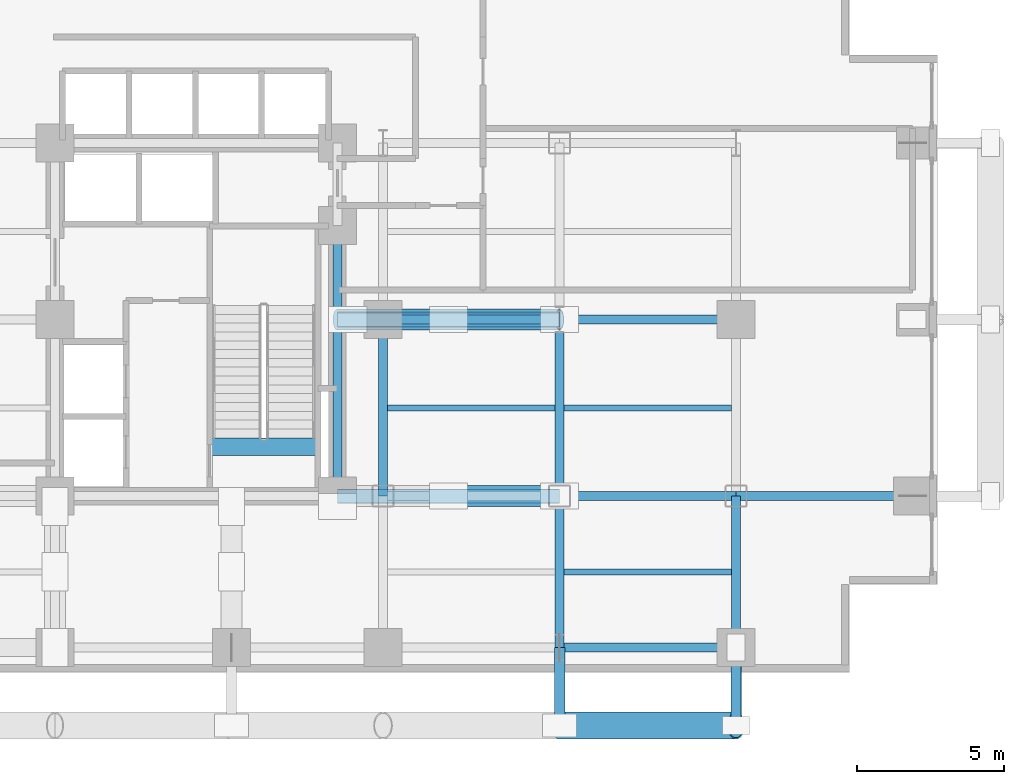
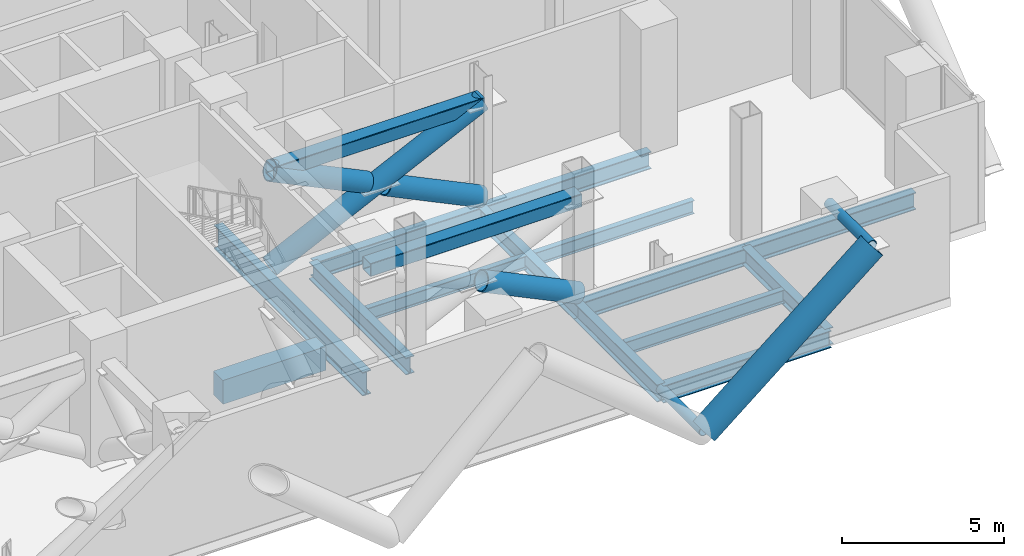
# One storey, part 3 of 10: 14 beams, 9 members.
"""IFC4 building model written with IfcOpenShell, lengths in metres."""

from ifc_helpers import new_model, si_unit, direction, frame, origin, origin_2d, place, context, subcontext, project, spatial, rectangle, hollow_rectangle, hollow_circle, i_section, extrude, material, material_profile, profile_set, type_object, element, save


model = new_model("IFC4")

# Units and contexts
model_context = context("Model", 3, precision=1e-05, world=origin(), true_north=direction((0.0, 1.0)))
body_context = subcontext(model_context, "Body", "Model", "MODEL_VIEW")
ifc_project = project(units=[si_unit("LENGTHUNIT", "METRE"), si_unit("AREAUNIT", "SQUARE_METRE"), si_unit("VOLUMEUNIT", "CUBIC_METRE"), si_unit("PLANEANGLEUNIT", "RADIAN"), si_unit("MASSUNIT", "GRAM", prefix="KILO"), si_unit("THERMODYNAMICTEMPERATUREUNIT", "KELVIN"), si_unit("POWERUNIT", "WATT")], contexts=[model_context])

# Site, building, storey
site_placement = place(None, origin())
site = spatial("IfcSite", under=ifc_project, at=site_placement, CompositionType="ELEMENT")
building_placement = place(site_placement, origin())
building = spatial("IfcBuilding", under=site, at=building_placement, Name="Svarakhadi Broadcast Tower", CompositionType="ELEMENT")
storey_placement = place(building_placement, frame((0.0, 0.0, 94.800048828125)))
storey = spatial("IfcBuildingStorey", under=building, at=storey_placement, Name="L22", CompositionType="ELEMENT", Elevation=94.800048828125)

# Beams
ifc_material_1 = material(Name="Steel S355J2 (IS 2062 E350C)", Category="steel")
ifc_material_profile_1 = material_profile(ifc_material_1, i_section(OverallWidth=0.199951171875, OverallDepth=0.5, WebThickness=0.01025390625, FlangeThickness=0.01611328125, FilletRadius=0.02099609375, at=origin_2d()), Name="NPB 500x200x91")
ifc_profile_set_1 = profile_set([ifc_material_profile_1], Name="Steel S355J2 (IS 2062 E350C)")
beam_type_1 = type_object("IfcBeamType", Name="Beam_NPB500", PredefinedType="BEAM", material=ifc_profile_set_1)
for number, where, z_axis, x_axis, name in (
    (1, (35.31005859375, 9.0, -0.574951171875), (1.0, 0.0, 0.0), (0.0, 1.0, 0.0), "L22 Secondary Composite Beam SB023"),
    (2, (41.31005859375, 3.425048828125, -0.574951171875), (1.0, 0.0, 0.0), (0.0, 1.0, 0.0), "L22 Secondary Composite Beam SB025"),
    (3, (41.31005859375, 9.0, -0.574951171875), (1.0, 0.0, 0.0), (0.0, 1.0, 0.0), "L22 Secondary Composite Beam SB026"),
):
    element("IfcBeam", number, at=place(storey_placement, frame(where, z_axis=z_axis, x_axis=x_axis)), inside=storey, type_object=beam_type_1, Name=name, PredefinedType="BEAM", context=body_context, shape_type="SweptSolid", body=[
        extrude(i_section(OverallWidth=0.199951171875, OverallDepth=0.5, WebThickness=0.01025390625, FlangeThickness=0.01611328125, FilletRadius=0.02099609375, at=origin_2d()), origin(), (0.0, 0.0, 1.0), 5.679931640625),
    ])
ifc_material_2 = material(Name="Concrete C50/60 (IS 456 M60)", Category="concrete")
ifc_material_profile_2 = material_profile(ifc_material_2, rectangle(XDim=0.60009765625, YDim=0.89990234375, at=origin_2d()), Name="RC 600x900")
ifc_profile_set_2 = profile_set([ifc_material_profile_2], Name="Concrete C50/60 (IS 456 M60)")
beam_type_2 = type_object("IfcBeamType", Name="Coupling_RC600", PredefinedType="USERDEFINED", material=ifc_profile_set_2)
beam_1_placement = place(storey_placement, frame((29.260009765625, 7.679931640625, -0.449951171875), z_axis=(1.0, 0.0, 0.0), x_axis=(0.0, 1.0, 0.0)))
element("IfcBeam", 4, at=beam_1_placement, inside=storey, type_object=beam_type_2, Name="L22 Stair ST-02 Landing Throat Trimmer Beam CB-01", ObjectType="GIRDER", PredefinedType="USERDEFINED", context=body_context, shape_type="SweptSolid", body=[
    extrude(rectangle(XDim=0.60009765625, YDim=0.89990234375, at=origin_2d()), origin(), (0.0, 0.0, 1.0), 3.679931640625),
])

# Members
ifc_material_3 = material(Name="Steel S460ML (IS 2062 E450BR)", Category="steel")
ifc_material_profile_3 = material_profile(ifc_material_3, hollow_circle(Radius=0.45703125, WallThickness=0.044921875, at=origin_2d()), Name="CHS 914x45")
ifc_profile_set_3 = profile_set([ifc_material_profile_3], Name="Steel S460ML (IS 2062 E450BR)")
member_type_1 = type_object("IfcMemberType", Name="Exo_Brace_CHS914", PredefinedType="BRACE", material=ifc_profile_set_3)
member_1_placement = place(storey_placement, frame((41.14990234375, -1.800048828125, -0.5029296875), z_axis=(0.773519586462, 0.0, 0.633772395549), x_axis=(0.0, 1.0, 0.0)))
element("IfcMember", 5, at=member_1_placement, inside=storey, type_object=member_type_1, Name="L22 Exposed Bronze Exoskeleton Diagonal S07", PredefinedType="BRACE", context=body_context, shape_type="SweptSolid", body=[
    extrude(hollow_circle(Radius=0.45703125, WallThickness=0.044921875, at=origin_2d()), origin(), (0.0, 0.0, 1.0), 7.7568359375),
])
ifc_material_profile_4 = material_profile(ifc_material_3, hollow_circle(Radius=0.177734375, WallThickness=0.02001953125, at=origin_2d()), Name="CHS 355.6x20")
ifc_profile_set_4 = profile_set([ifc_material_profile_4], Name="Steel S460ML (IS 2062 E450BR)")
member_type_2 = type_object("IfcMemberType", Name="Exo_Radial_Strut_Z1", PredefinedType="STRUT", material=ifc_profile_set_4)
for number, where, z_axis, x_axis, name in (
    (6, (41.14990234375, -1.800048828125, -0.5029296875), (0.0, 1.0, 0.0), (-1.0, 0.0, 0.0), "L22 Exoskeleton Radial Tie Strut S04"),
    (7, (47.14990234375, -1.800048828125, 4.4130859375), (0.0, 1.0, 0.0), (-1.0, 0.0, 0.0), "L22 Exoskeleton Setback Top Radial Tie S07"),
):
    element("IfcMember", number, at=place(storey_placement, frame(where, z_axis=z_axis, x_axis=x_axis)), inside=storey, type_object=member_type_2, Name=name, PredefinedType="STRUT", context=body_context, shape_type="SweptSolid", body=[
        extrude(hollow_circle(Radius=0.177734375, WallThickness=0.02001953125, at=origin_2d()), origin(), (0.0, 0.0, 1.0), 2.650146484375),
    ])

# Beams
ifc_material_profile_5 = material_profile(ifc_material_1, i_section(OverallWidth=0.300048828125, OverallDepth=0.64990234375, WebThickness=0.01611328125, FlangeThickness=0.031005859375, FilletRadius=0.027099609375, at=origin_2d()), Name="WPB 650x300x225")
ifc_profile_set_5 = profile_set([ifc_material_profile_5], Name="Steel S355J2 (IS 2062 E350C)")
beam_type_3 = type_object("IfcBeamType", Name="Girder_WPB650", PredefinedType="USERDEFINED", material=ifc_profile_set_5)
for number, where, z_axis, x_axis, name in (
    (8, (41.14990234375, 0.85009765625, -0.650146484375), (1.0, 0.0, 0.0), (0.0, 1.0, 0.0), "L22 Primary E-W Girder G010"),
    (9, (41.14990234375, 6.0, -0.650146484375), (1.0, 0.0, 0.0), (0.0, 1.0, 0.0), "L22 Primary E-W Girder G017"),
    (10, (47.14990234375, 6.0, -0.650146484375), (1.0, 0.0, 0.0), (0.0, 1.0, 0.0), "L22 Primary E-W Girder G018"),
    (11, (35.14990234375, 12.0, -0.650146484375), (1.0, 0.0, 0.0), (0.0, 1.0, 0.0), "L22 Primary E-W Girder G023"),
    (12, (41.14990234375, 12.0, -0.650146484375), (1.0, 0.0, 0.0), (0.0, 1.0, 0.0), "L22 Primary E-W Girder G024"),
    (13, (35.14990234375, 6.0, -0.650146484375), (0.0, 1.0, 0.0), (-1.0, 0.0, 0.0), "L22 Primary N-S Girder G077"),
):
    element("IfcBeam", number, at=place(storey_placement, frame(where, z_axis=z_axis, x_axis=x_axis)), inside=storey, type_object=beam_type_3, Name=name, ObjectType="GIRDER", PredefinedType="USERDEFINED", context=body_context, shape_type="SweptSolid", body=[
        extrude(i_section(OverallWidth=0.300048828125, OverallDepth=0.64990234375, WebThickness=0.01611328125, FlangeThickness=0.031005859375, FilletRadius=0.027099609375, at=origin_2d()), origin(), (0.0, 0.0, 1.0), 6.0),
    ])
beam_2_placement = place(storey_placement, frame((41.14990234375, 0.85009765625, -0.650146484375), z_axis=(0.0, 1.0, 0.0), x_axis=(-1.0, 0.0, 0.0)))
element("IfcBeam", 14, at=beam_2_placement, inside=storey, type_object=beam_type_3, Name="L22 Primary N-S Girder G079", ObjectType="GIRDER", PredefinedType="USERDEFINED", context=body_context, shape_type="SweptSolid", body=[
    extrude(i_section(OverallWidth=0.300048828125, OverallDepth=0.64990234375, WebThickness=0.01611328125, FlangeThickness=0.031005859375, FilletRadius=0.027099609375, at=origin_2d()), origin(), (0.0, 0.0, 1.0), 5.14990234375),
])
beam_3_placement = place(storey_placement, frame((41.14990234375, 6.0, -0.650146484375), z_axis=(0.0, 1.0, 0.0), x_axis=(-1.0, 0.0, 0.0)))
element("IfcBeam", 15, at=beam_3_placement, inside=storey, type_object=beam_type_3, Name="L22 Primary N-S Girder G080", ObjectType="GIRDER", PredefinedType="USERDEFINED", context=body_context, shape_type="SweptSolid", body=[
    extrude(i_section(OverallWidth=0.300048828125, OverallDepth=0.64990234375, WebThickness=0.01611328125, FlangeThickness=0.031005859375, FilletRadius=0.027099609375, at=origin_2d()), origin(), (0.0, 0.0, 1.0), 6.0),
])
beam_4_placement = place(storey_placement, frame((47.14990234375, 0.85009765625, -0.650146484375), z_axis=(0.0, 1.0, 0.0), x_axis=(-1.0, 0.0, 0.0)))
element("IfcBeam", 16, at=beam_4_placement, inside=storey, type_object=beam_type_3, Name="L22 Primary N-S Girder G082", ObjectType="GIRDER", PredefinedType="USERDEFINED", context=body_context, shape_type="SweptSolid", body=[
    extrude(i_section(OverallWidth=0.300048828125, OverallDepth=0.64990234375, WebThickness=0.01611328125, FlangeThickness=0.031005859375, FilletRadius=0.027099609375, at=origin_2d()), origin(), (0.0, 0.0, 1.0), 5.14990234375),
])
ifc_material_profile_6 = material_profile(ifc_material_3, i_section(OverallWidth=0.300048828125, OverallDepth=0.89990234375, WebThickness=0.0185546875, FlangeThickness=0.034912109375, FilletRadius=0.030029296875, at=origin_2d()), Name="WPB 900x300x291")
ifc_profile_set_6 = profile_set([ifc_material_profile_6], Name="Steel S460ML (IS 2062 E450BR)")
beam_type_4 = type_object("IfcBeamType", Name="Girder_WPB900", PredefinedType="USERDEFINED", material=ifc_profile_set_6)
beam_5_placement = place(storey_placement, frame((33.60009765625, 6.0, -0.775146484375), z_axis=(0.0, 1.0, 0.0), x_axis=(-1.0, 0.0, 0.0)))
element("IfcBeam", 17, at=beam_5_placement, inside=storey, type_object=beam_type_4, Name="L22 Primary N-S Girder G074", ObjectType="GIRDER", PredefinedType="USERDEFINED", context=body_context, shape_type="SweptSolid", body=[
    extrude(i_section(OverallWidth=0.300048828125, OverallDepth=0.89990234375, WebThickness=0.0185546875, FlangeThickness=0.034912109375, FilletRadius=0.030029296875, at=origin_2d()), origin(), (0.0, 0.0, 1.0), 9.199951171875),
])

# Members
ifc_material_profile_7 = material_profile(ifc_material_3, hollow_circle(Radius=0.35546875, WallThickness=0.034912109375, at=origin_2d()), Name="CHS 711x35")
ifc_profile_set_7 = profile_set([ifc_material_profile_7], Name="Steel S460ML (IS 2062 E450BR)")
member_type_3 = type_object("IfcMemberType", Name="Outrigger_Brace_OT01", PredefinedType="BRACE", material=ifc_profile_set_7)
member_2_placement = place(storey_placement, frame((41.14990234375, 6.0, 0.0), z_axis=(-0.901486267581, 0.0, 0.432807704833), x_axis=(0.0, -1.0, 0.0)))
element("IfcMember", 18, at=member_2_placement, inside=storey, type_object=member_type_3, Name="L22 Core-to-Perimeter Outrigger Truss Diagonal OT-07B1", PredefinedType="BRACE", context=body_context, shape_type="SweptSolid", body=[
    extrude(hollow_circle(Radius=0.35546875, WallThickness=0.034912109375, at=origin_2d()), origin(), (0.0, 0.0, 1.0), 3.831787109375),
])
member_3_placement = place(storey_placement, frame((33.60009765625, 12.0, 0.0), z_axis=(0.901472102936, 0.0, 0.432837206843), x_axis=(0.0, 1.0, 0.0)))
element("IfcMember", 19, at=member_3_placement, inside=storey, type_object=member_type_3, Name="L22 Core-to-Perimeter Outrigger Truss Diagonal OT-08A", PredefinedType="BRACE", context=body_context, shape_type="SweptSolid", body=[
    extrude(hollow_circle(Radius=0.35546875, WallThickness=0.034912109375, at=origin_2d()), origin(), (0.0, 0.0, 1.0), 8.375),
])
member_4_placement = place(storey_placement, frame((41.14990234375, 12.0, 0.0), z_axis=(-0.901486267581, 0.0, 0.432807704833), x_axis=(0.0, -1.0, 0.0)))
element("IfcMember", 20, at=member_4_placement, inside=storey, type_object=member_type_3, Name="L22 Core-to-Perimeter Outrigger Truss Diagonal OT-08B1", PredefinedType="BRACE", context=body_context, shape_type="SweptSolid", body=[
    extrude(hollow_circle(Radius=0.35546875, WallThickness=0.034912109375, at=origin_2d()), origin(), (0.0, 0.0, 1.0), 3.831787109375),
])
member_5_placement = place(storey_placement, frame((37.054443359375, 12.0, 1.96630859375), z_axis=(-0.901461407561, 0.0, 0.432859481446), x_axis=(0.0, -1.0, 0.0)))
element("IfcMember", 21, at=member_5_placement, inside=storey, type_object=member_type_3, Name="L22 Core-to-Perimeter Outrigger Truss Diagonal OT-08B2", PredefinedType="BRACE", context=body_context, shape_type="SweptSolid", body=[
    extrude(hollow_circle(Radius=0.35546875, WallThickness=0.034912109375, at=origin_2d()), origin(), (0.0, 0.0, 1.0), 3.83203125),
])
ifc_material_profile_8 = material_profile(ifc_material_3, hollow_rectangle(XDim=0.5, YDim=0.5, WallThickness=0.02490234375, InnerFilletRadius=0.02490234375, OuterFilletRadius=0.0400390625, at=origin_2d()), Name="SHS 500x500x25")
ifc_profile_set_8 = profile_set([ifc_material_profile_8], Name="Steel S460ML (IS 2062 E450BR)")
member_type_4 = type_object("IfcMemberType", Name="Outrigger_Truss_Chord", PredefinedType="CHORD", material=ifc_profile_set_8)
for number, where, z_axis, x_axis, name in (
    (22, (33.60009765625, 6.0, 3.625), (1.0, 0.0, 0.0), (0.0, 1.0, 0.0), "L22 Outrigger Truss Top Chord OC-07"),
    (23, (33.60009765625, 12.0, 3.625), (1.0, 0.0, 0.0), (0.0, 1.0, 0.0), "L22 Outrigger Truss Top Chord OC-08"),
):
    element("IfcMember", number, at=place(storey_placement, frame(where, z_axis=z_axis, x_axis=x_axis)), inside=storey, type_object=member_type_4, Name=name, PredefinedType="CHORD", context=body_context, shape_type="SweptSolid", body=[
        extrude(hollow_rectangle(XDim=0.5, YDim=0.5, WallThickness=0.02490234375, InnerFilletRadius=0.02490234375, OuterFilletRadius=0.0400390625, at=origin_2d()), origin(), (0.0, 0.0, 1.0), 7.5498046875),
    ])

save(model, "model.ifc")
